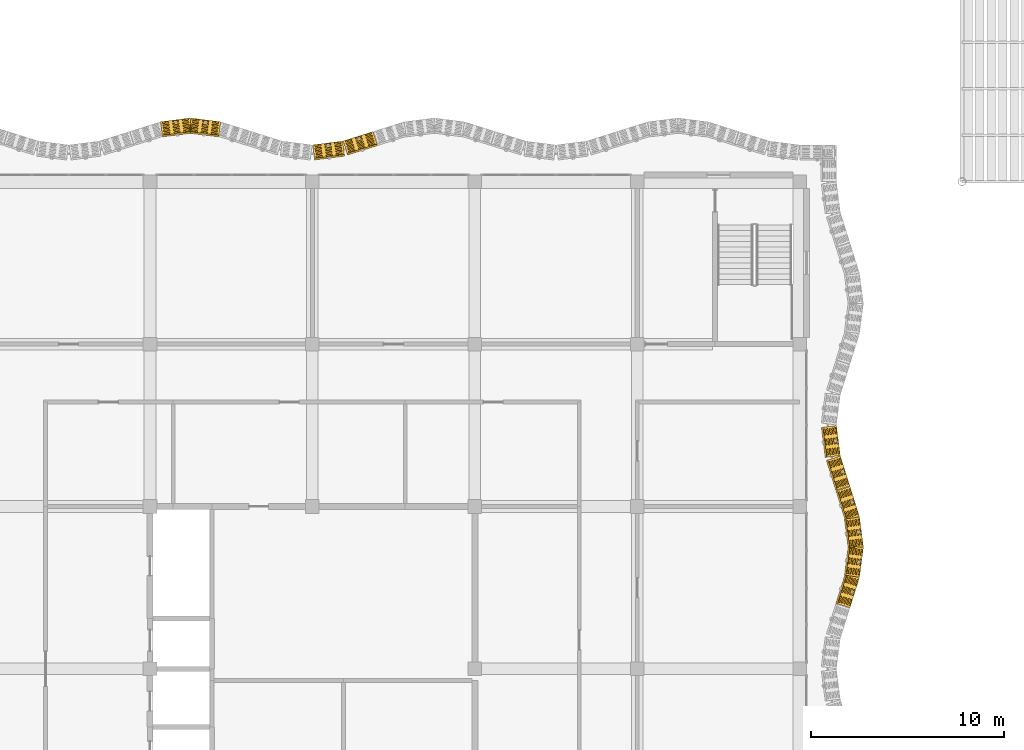
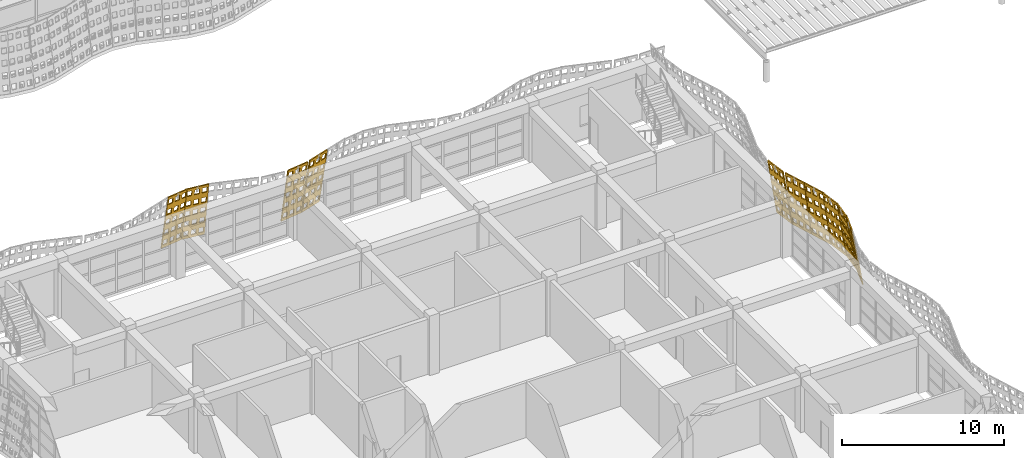
# One storey, part 125 of 162: 10 coverings.
"""IFC4 building model written with IfcOpenShell, lengths in metres."""

import ifcopenshell
import ifcopenshell.guid

model = None  # the IFC model being written
_history = None  # IfcOwnerHistory: only IFC2X3 demands one
_inside = {}  # id of a spatial element -> (the spatial element, [elements in it])
_under = {}  # id of a project, library or spatial element -> (it, [spatial elements below it])
_declared = {}  # id of a project -> (the project, [libraries it declares])
_typed = {}  # id of a type object -> (the type object, [elements of that type])
_made_of = {}  # id of a material, layer set ... -> (it, [elements and type objects made of it])


def new_model(schema):
    """Start an empty IFC model of exactly this schema.

    Asked for "IFC4X3", IfcOpenShell would pick the latest addendum, in which some entities
    have other attributes; the version numbers below select the first issue.
    IFC2X3 requires an IfcOwnerHistory on every rooted entity: one is made here for all.
    """
    global model, _history
    if schema == "IFC4X3":
        model = ifcopenshell.file(schema_version=(4, 3, 0, 0))
    else:
        model = ifcopenshell.file(schema=schema)
    _inside.clear()
    _under.clear()
    _declared.clear()
    _typed.clear()
    _made_of.clear()
    _history = None
    if model.schema == "IFC2X3":
        org = make("IfcOrganization", Name="unknown")
        user = make(
            "IfcPersonAndOrganization",
            ThePerson=make("IfcPerson", FamilyName="unknown"),
            TheOrganization=org,
        )
        app = make(
            "IfcApplication",
            ApplicationDeveloper=org,
            Version="unknown",
            ApplicationFullName="unknown",
            ApplicationIdentifier="unknown",
        )
        _history = make(
            "IfcOwnerHistory",
            OwningUser=user,
            OwningApplication=app,
            ChangeAction="ADDED",
            CreationDate=0,
        )
    return model


def make(cls, **values):
    """One entity of the class cls with the attributes given. An attribute that is None is left unset."""
    return model.create_entity(
        cls, **{name: value for name, value in values.items() if value is not None}
    )


def rooted(cls, **values):
    """An entity with a GlobalId (a new one), such as an element, a storey or a relation."""
    return make(cls, GlobalId=ifcopenshell.guid.new(), OwnerHistory=_history, **values)


def si_unit(unit_type, name, prefix=None):
    """IfcSIUnit, for example si_unit("LENGTHUNIT", "METRE", prefix="MILLI")."""
    return make("IfcSIUnit", UnitType=unit_type, Prefix=prefix, Name=name)


def assignment(units):
    """IfcUnitAssignment: the units of a project."""
    return None if units is None else make("IfcUnitAssignment", Units=units)


def point(xyz):
    """IfcCartesianPoint."""
    return None if xyz is None else make("IfcCartesianPoint", Coordinates=xyz)


def direction(xyz):
    """IfcDirection."""
    return None if xyz is None else make("IfcDirection", DirectionRatios=xyz)


def frame(location, z_axis=None, x_axis=None):
    """IfcAxis2Placement3D, a coordinate frame: its origin and axes. An axis left out is left unset."""
    return make(
        "IfcAxis2Placement3D",
        Location=point(location),
        Axis=direction(z_axis),
        RefDirection=direction(x_axis),
    )


def origin():
    """The frame at (0, 0, 0) with its axes left unset."""
    return frame((0.0, 0.0, 0.0))


def place(relative_to, where):
    """IfcLocalPlacement: puts the frame where relative to a parent placement (None: the world)."""
    return make(
        "IfcLocalPlacement", PlacementRelTo=relative_to, RelativePlacement=where
    )


def context(
    kind, dimensions, precision=None, world=None, true_north=None, identifier=None
):
    """IfcGeometricRepresentationContext, for example the 3D "Model" context."""
    return make(
        "IfcGeometricRepresentationContext",
        ContextIdentifier=identifier,
        ContextType=kind,
        CoordinateSpaceDimension=dimensions,
        Precision=precision,
        WorldCoordinateSystem=world,
        TrueNorth=true_north,
    )


def subcontext(parent, identifier, kind, view, scale=None):
    """IfcGeometricRepresentationSubContext, for example "Body" below "Model"."""
    return make(
        "IfcGeometricRepresentationSubContext",
        ContextIdentifier=identifier,
        ContextType=kind,
        ParentContext=parent,
        TargetScale=scale,
        TargetView=view,
    )


def project(units=None, contexts=None):
    """IfcProject with its units and contexts."""
    return rooted(
        "IfcProject",
        Name="project",
        RepresentationContexts=contexts,
        UnitsInContext=assignment(units),
    )


def spatial(cls, under=None, at=None, **own):
    """A site, building, storey or space (cls), placed at a placement, below another one or the project."""
    s = rooted(cls, ObjectPlacement=at, **own)
    if under is not None:
        _under.setdefault(under.id(), (under, []))[1].append(s)
    return s


def polyline(points):
    """IfcPolyline through the points."""
    return make("IfcPolyline", Points=[point(p) for p in points])


def outline(outer, holes=None, kind="AREA"):
    """IfcArbitraryClosedProfileDef: a profile drawn as a closed curve; with holes, ...WithVoids."""
    if holes is None:
        return make("IfcArbitraryClosedProfileDef", ProfileType=kind, OuterCurve=outer)
    return make(
        "IfcArbitraryProfileDefWithVoids",
        ProfileType=kind,
        OuterCurve=outer,
        InnerCurves=holes,
    )


def extrude(swept, where, along, depth):
    """IfcExtrudedAreaSolid: the profile swept, set in the frame where, extruded along a direction by depth."""
    return make(
        "IfcExtrudedAreaSolid",
        SweptArea=swept,
        Position=where,
        ExtrudedDirection=direction(along),
        Depth=depth,
    )


def shape(context_of_items, identifier, shape_type, items):
    """IfcShapeRepresentation: the items that make up one representation, for example the "Body"."""
    return make(
        "IfcShapeRepresentation",
        ContextOfItems=context_of_items,
        RepresentationIdentifier=identifier,
        RepresentationType=shape_type,
        Items=items,
    )


def material(Name=None, Category=None):
    """IfcMaterial."""
    return make("IfcMaterial", Name=Name, Category=Category)


def layer(
    of_material, thickness, ventilated=None, Name=None, Category=None, Priority=None
):
    """IfcMaterialLayer: one layer of a wall or slab, of a material (None: an air gap)."""
    return make(
        "IfcMaterialLayer",
        Material=of_material,
        LayerThickness=thickness,
        IsVentilated=ventilated,
        Name=Name,
        Category=Category,
        Priority=Priority,
    )


def layer_set(layers, Name=None):
    """IfcMaterialLayerSet."""
    return make("IfcMaterialLayerSet", MaterialLayers=layers, LayerSetName=Name)


def made_of(thing, what):
    """Note that an element or type object is made of a material, layer set ...; save() writes the relation."""
    if what is not None:
        _made_of.setdefault(what.id(), (what, []))[1].append(thing)
    return thing


def type_object(cls, material=None, **own):
    """A type object (cls), such as IfcWallType, which elements share."""
    return made_of(rooted(cls, **own), material)


def element(
    cls,
    number,
    at=None,
    inside=None,
    cuts=None,
    type_object=None,
    material=None,
    context=None,
    identifier="Body",
    shape_type=None,
    held_by="IfcProductDefinitionShape",
    body=None,
    shapes=None,
    **own,
):
    """One element of the class cls, such as IfcWall. Its Tag is "e" and its number.

    at: its placement. inside: the storey or other place that contains it. cuts: it is an
    opening in that element (IfcRelVoidsElement). A single representation is given by context,
    identifier, shape_type and body (its items); several are given by shapes. held_by: the class
    of the entity that holds the representations. save() writes the other relations.
    """
    e = rooted(cls, Tag="e%d" % number, ObjectPlacement=at, **own)
    if body is not None:
        shapes = [shape(context, identifier, shape_type, body)]
    if shapes is not None:
        e.Representation = make(held_by, Representations=shapes)
    if inside is not None:
        _inside.setdefault(inside.id(), (inside, []))[1].append(e)
    if cuts is not None:
        rooted(
            "IfcRelVoidsElement", RelatingBuildingElement=cuts, RelatedOpeningElement=e
        )
    if type_object is not None:
        _typed.setdefault(type_object.id(), (type_object, []))[1].append(e)
    return made_of(e, material)


def aggregate(whole, parts):
    """IfcRelAggregates: a whole, such as a stair, and the parts it consists of."""
    return rooted("IfcRelAggregates", RelatingObject=whole, RelatedObjects=parts)


def save(model, path):
    """Write the relations noted so far, then the file.

    IfcRelAggregates (storeys below a building ...), IfcRelContainedInSpatialStructure (elements
    in a storey), IfcRelDefinesByType, IfcRelAssociatesMaterial and IfcRelDeclares: one each for
    every whole, place, type object, material and project.
    """
    for whole, parts in _under.values():
        aggregate(whole, parts)
    for where, things in _inside.values():
        rooted(
            "IfcRelContainedInSpatialStructure",
            RelatedElements=things,
            RelatingStructure=where,
        )
    for kind, things in _typed.values():
        rooted("IfcRelDefinesByType", RelatedObjects=things, RelatingType=kind)
    for what, things in _made_of.values():
        rooted("IfcRelAssociatesMaterial", RelatedObjects=things, RelatingMaterial=what)
    for by, libraries in _declared.values():
        rooted("IfcRelDeclares", RelatingContext=by, RelatedDefinitions=libraries)
    model.write(path)


model = new_model("IFC4")

# Units and contexts
model_context = context("Model", 3, precision=1e-05, world=origin(), true_north=direction((0.0, 1.0)))
body_context = subcontext(model_context, "Body", "Model", "MODEL_VIEW")
ifc_project = project(units=[si_unit("LENGTHUNIT", "METRE"), si_unit("AREAUNIT", "SQUARE_METRE"), si_unit("VOLUMEUNIT", "CUBIC_METRE"), si_unit("PLANEANGLEUNIT", "RADIAN"), si_unit("MASSUNIT", "GRAM", prefix="KILO")], contexts=[model_context])

# Site, building, storey
site_placement = place(None, origin())
site = spatial("IfcSite", under=ifc_project, at=site_placement, CompositionType="ELEMENT")
building_placement = place(site_placement, origin())
building = spatial("IfcBuilding", under=site, at=building_placement, Name="Rain Tree Exposition and Congress Centre", CompositionType="ELEMENT")
storey_placement = place(building_placement, frame((0.0, 0.0, 6.0)))
storey = spatial("IfcBuildingStorey", under=building, at=storey_placement, Name="L01", CompositionType="ELEMENT", Elevation=6.0)

# Coverings
ifc_material = material(Name="Perforated terracotta", Category="masonry")
ifc_layer = layer(ifc_material, 0.080078125)
ifc_layer_set = layer_set([ifc_layer], Name="Perforated terracotta")
covering_type = type_object("IfcCoveringType", Name="Terracotta screen 80", PredefinedType="CLADDING", material=ifc_layer_set)
covering_1_placement = place(storey_placement, frame((52.998291015625, 28.3505859375, 0.0126953125), z_axis=(-0.941684688936, 0.296569528658, -0.158985726703), x_axis=(-0.300390227601, -0.953816392794, 0.0)))
element("IfcCovering", 1, at=covering_1_placement, inside=storey, type_object=covering_type, Name="wing/screen/L01/053", PredefinedType="CLADDING", context=body_context, shape_type="SweptSolid", body=[
    extrude(outline(polyline([(-1.62890625, 0.0), (-1.62890625, 4.291259765625), (-0.014892578125, 4.291259765625), (-0.014892578125, 0.0), (-1.62890625, 0.0)]), holes=[polyline([(-0.1171875, 0.221435546875), (-0.1171875, 0.63671875), (-0.45068359375, 0.63671875), (-0.45068359375, 0.221435546875), (-0.1171875, 0.221435546875)]), polyline([(-0.1171875, 1.07958984375), (-0.1171875, 1.4951171875), (-0.45068359375, 1.4951171875), (-0.45068359375, 1.07958984375), (-0.1171875, 1.07958984375)]), polyline([(-0.1171875, 1.93798828125), (-0.1171875, 2.353271484375), (-0.45068359375, 2.353271484375), (-0.45068359375, 1.93798828125), (-0.1171875, 1.93798828125)]), polyline([(-0.1171875, 2.796142578125), (-0.1171875, 3.21142578125), (-0.45068359375, 3.21142578125), (-0.45068359375, 2.796142578125), (-0.1171875, 2.796142578125)]), polyline([(-0.1171875, 3.654541015625), (-0.1171875, 4.06982421875), (-0.45068359375, 4.06982421875), (-0.45068359375, 3.654541015625), (-0.1171875, 3.654541015625)]), polyline([(-0.6552734375, 0.221435546875), (-0.6552734375, 0.63671875), (-0.98876953125, 0.63671875), (-0.98876953125, 0.221435546875), (-0.6552734375, 0.221435546875)]), polyline([(-0.6552734375, 1.07958984375), (-0.6552734375, 1.4951171875), (-0.98876953125, 1.4951171875), (-0.98876953125, 1.07958984375), (-0.6552734375, 1.07958984375)]), polyline([(-0.6552734375, 1.93798828125), (-0.6552734375, 2.353271484375), (-0.98876953125, 2.353271484375), (-0.98876953125, 1.93798828125), (-0.6552734375, 1.93798828125)]), polyline([(-0.6552734375, 2.796142578125), (-0.6552734375, 3.21142578125), (-0.98876953125, 3.21142578125), (-0.98876953125, 2.796142578125), (-0.6552734375, 2.796142578125)]), polyline([(-0.6552734375, 3.654541015625), (-0.6552734375, 4.06982421875), (-0.98876953125, 4.06982421875), (-0.98876953125, 3.654541015625), (-0.6552734375, 3.654541015625)]), polyline([(-1.193115234375, 0.221435546875), (-1.193115234375, 0.63671875), (-1.526611328125, 0.63671875), (-1.526611328125, 0.221435546875), (-1.193115234375, 0.221435546875)]), polyline([(-1.193115234375, 1.07958984375), (-1.193115234375, 1.4951171875), (-1.526611328125, 1.4951171875), (-1.526611328125, 1.07958984375), (-1.193115234375, 1.07958984375)]), polyline([(-1.193115234375, 1.93798828125), (-1.193115234375, 2.353271484375), (-1.526611328125, 2.353271484375), (-1.526611328125, 1.93798828125), (-1.193115234375, 1.93798828125)]), polyline([(-1.193115234375, 2.796142578125), (-1.193115234375, 3.21142578125), (-1.526611328125, 3.21142578125), (-1.526611328125, 2.796142578125), (-1.193115234375, 2.796142578125)]), polyline([(-1.193115234375, 3.654541015625), (-1.193115234375, 4.06982421875), (-1.526611328125, 4.06982421875), (-1.526611328125, 3.654541015625), (-1.193115234375, 3.654541015625)])]), origin(), (0.0, 0.0, 1.0), 0.079833984375),
])
covering_2_placement = place(storey_placement, frame((53.4931640625, 29.92529296875, 0.01318359375), z_axis=(-0.978036007662, 0.127967328105, -0.16452942185), x_axis=(-0.129735338481, -0.991548658387, 0.0)))
element("IfcCovering", 2, at=covering_2_placement, inside=storey, type_object=covering_type, Name="wing/screen/L01/054", PredefinedType="CLADDING", context=body_context, shape_type="SweptSolid", body=[
    extrude(outline(polyline([(-1.56298828125, 0.0), (-1.56298828125, 4.295166015625), (-0.02197265625, 4.295166015625), (-0.02197265625, 0.0), (-1.56298828125, 0.0)]), holes=[polyline([(-0.11962890625, 0.2216796875), (-0.11962890625, 0.63720703125), (-0.43798828125, 0.63720703125), (-0.43798828125, 0.2216796875), (-0.11962890625, 0.2216796875)]), polyline([(-0.11962890625, 1.080810546875), (-0.11962890625, 1.496337890625), (-0.43798828125, 1.496337890625), (-0.43798828125, 1.080810546875), (-0.11962890625, 1.080810546875)]), polyline([(-0.11962890625, 1.939697265625), (-0.11962890625, 2.35546875), (-0.43798828125, 2.35546875), (-0.43798828125, 1.939697265625), (-0.11962890625, 1.939697265625)]), polyline([(-0.11962890625, 2.798583984375), (-0.11962890625, 3.21435546875), (-0.43798828125, 3.21435546875), (-0.43798828125, 2.798583984375), (-0.11962890625, 2.798583984375)]), polyline([(-0.11962890625, 3.65771484375), (-0.11962890625, 4.073486328125), (-0.43798828125, 4.073486328125), (-0.43798828125, 3.65771484375), (-0.11962890625, 3.65771484375)]), polyline([(-0.63330078125, 0.2216796875), (-0.63330078125, 0.63720703125), (-0.95166015625, 0.63720703125), (-0.95166015625, 0.2216796875), (-0.63330078125, 0.2216796875)]), polyline([(-0.63330078125, 1.080810546875), (-0.63330078125, 1.496337890625), (-0.95166015625, 1.496337890625), (-0.95166015625, 1.080810546875), (-0.63330078125, 1.080810546875)]), polyline([(-0.63330078125, 1.939697265625), (-0.63330078125, 2.35546875), (-0.95166015625, 2.35546875), (-0.95166015625, 1.939697265625), (-0.63330078125, 1.939697265625)]), polyline([(-0.63330078125, 2.798583984375), (-0.63330078125, 3.21435546875), (-0.95166015625, 3.21435546875), (-0.95166015625, 2.798583984375), (-0.63330078125, 2.798583984375)]), polyline([(-0.63330078125, 3.65771484375), (-0.63330078125, 4.073486328125), (-0.95166015625, 4.073486328125), (-0.95166015625, 3.65771484375), (-0.63330078125, 3.65771484375)]), polyline([(-1.146728515625, 0.2216796875), (-1.146728515625, 0.63720703125), (-1.46533203125, 0.63720703125), (-1.46533203125, 0.2216796875), (-1.146728515625, 0.2216796875)]), polyline([(-1.146728515625, 1.080810546875), (-1.146728515625, 1.496337890625), (-1.46533203125, 1.496337890625), (-1.46533203125, 1.080810546875), (-1.146728515625, 1.080810546875)]), polyline([(-1.146728515625, 1.939697265625), (-1.146728515625, 2.35546875), (-1.46533203125, 2.35546875), (-1.46533203125, 1.939697265625), (-1.146728515625, 1.939697265625)]), polyline([(-1.146728515625, 2.798583984375), (-1.146728515625, 3.21435546875), (-1.46533203125, 3.21435546875), (-1.46533203125, 2.798583984375), (-1.146728515625, 2.798583984375)]), polyline([(-1.146728515625, 3.65771484375), (-1.146728515625, 4.073486328125), (-1.46533203125, 4.073486328125), (-1.46533203125, 3.65771484375), (-1.146728515625, 3.65771484375)])]), origin(), (0.0, 0.0, 1.0), 0.080078125),
])
covering_3_placement = place(storey_placement, frame((53.697998046875, 31.499755859375, 0.01318359375), z_axis=(-0.9779030419, -0.128349774249, -0.165021138321), x_axis=(0.130133906157, -0.991496427865, 0.0)))
element("IfcCovering", 3, at=covering_3_placement, inside=storey, type_object=covering_type, Name="wing/screen/L01/055", PredefinedType="CLADDING", context=body_context, shape_type="SweptSolid", body=[
    extrude(outline(polyline([(-1.56640625, 0.0), (-1.56640625, 4.295166015625), (-0.025390625, 4.295166015625), (-0.025390625, 0.0), (-1.56640625, 0.0)]), holes=[polyline([(-0.123046875, 0.2216796875), (-0.123046875, 0.63720703125), (-0.44140625, 0.63720703125), (-0.44140625, 0.2216796875), (-0.123046875, 0.2216796875)]), polyline([(-0.123046875, 1.080810546875), (-0.123046875, 1.496337890625), (-0.44140625, 1.496337890625), (-0.44140625, 1.080810546875), (-0.123046875, 1.080810546875)]), polyline([(-0.123046875, 1.939697265625), (-0.123046875, 2.35546875), (-0.44140625, 2.35546875), (-0.44140625, 1.939697265625), (-0.123046875, 1.939697265625)]), polyline([(-0.123046875, 2.798583984375), (-0.123046875, 3.21435546875), (-0.44140625, 3.21435546875), (-0.44140625, 2.798583984375), (-0.123046875, 2.798583984375)]), polyline([(-0.123046875, 3.65771484375), (-0.123046875, 4.073486328125), (-0.44140625, 4.073486328125), (-0.44140625, 3.65771484375), (-0.123046875, 3.65771484375)]), polyline([(-0.63671875, 0.2216796875), (-0.63671875, 0.63720703125), (-0.955078125, 0.63720703125), (-0.955078125, 0.2216796875), (-0.63671875, 0.2216796875)]), polyline([(-0.63671875, 1.080810546875), (-0.63671875, 1.496337890625), (-0.955078125, 1.496337890625), (-0.955078125, 1.080810546875), (-0.63671875, 1.080810546875)]), polyline([(-0.63671875, 1.939697265625), (-0.63671875, 2.35546875), (-0.955078125, 2.35546875), (-0.955078125, 1.939697265625), (-0.63671875, 1.939697265625)]), polyline([(-0.63671875, 2.798583984375), (-0.63671875, 3.21435546875), (-0.955078125, 3.21435546875), (-0.955078125, 2.798583984375), (-0.63671875, 2.798583984375)]), polyline([(-0.63671875, 3.65771484375), (-0.63671875, 4.073486328125), (-0.955078125, 4.073486328125), (-0.955078125, 3.65771484375), (-0.63671875, 3.65771484375)]), polyline([(-1.150146484375, 0.2216796875), (-1.150146484375, 0.63720703125), (-1.46875, 0.63720703125), (-1.46875, 0.2216796875), (-1.150146484375, 0.2216796875)]), polyline([(-1.150146484375, 1.080810546875), (-1.150146484375, 1.496337890625), (-1.46875, 1.496337890625), (-1.46875, 1.080810546875), (-1.150146484375, 1.080810546875)]), polyline([(-1.150146484375, 1.939697265625), (-1.150146484375, 2.35546875), (-1.46875, 2.35546875), (-1.46875, 1.939697265625), (-1.150146484375, 1.939697265625)]), polyline([(-1.150146484375, 2.798583984375), (-1.150146484375, 3.21435546875), (-1.46875, 3.21435546875), (-1.46875, 2.798583984375), (-1.150146484375, 2.798583984375)]), polyline([(-1.150146484375, 3.65771484375), (-1.150146484375, 4.073486328125), (-1.46875, 4.073486328125), (-1.46875, 3.65771484375), (-1.150146484375, 3.65771484375)])]), origin(), (0.0, 0.0, 1.0), 0.079833984375),
])
covering_4_placement = place(storey_placement, frame((53.493408203125, 33.074462890625, 0.0126953125), z_axis=(-0.942029390639, -0.295717964052, -0.158529217842), x_axis=(0.29950542383, -0.954094597562, 0.0)))
element("IfcCovering", 4, at=covering_4_placement, inside=storey, type_object=covering_type, Name="wing/screen/L01/056", PredefinedType="CLADDING", context=body_context, shape_type="SweptSolid", body=[
    extrude(outline(polyline([(-1.635986328125, 0.0), (-1.635986328125, 4.291259765625), (-0.02197265625, 4.291259765625), (-0.02197265625, 0.0), (-1.635986328125, 0.0)]), holes=[polyline([(-0.124267578125, 0.221435546875), (-0.124267578125, 0.63671875), (-0.457763671875, 0.63671875), (-0.457763671875, 0.221435546875), (-0.124267578125, 0.221435546875)]), polyline([(-0.124267578125, 1.07958984375), (-0.124267578125, 1.4951171875), (-0.457763671875, 1.4951171875), (-0.457763671875, 1.07958984375), (-0.124267578125, 1.07958984375)]), polyline([(-0.124267578125, 1.93798828125), (-0.124267578125, 2.353271484375), (-0.457763671875, 2.353271484375), (-0.457763671875, 1.93798828125), (-0.124267578125, 1.93798828125)]), polyline([(-0.124267578125, 2.796142578125), (-0.124267578125, 3.21142578125), (-0.457763671875, 3.21142578125), (-0.457763671875, 2.796142578125), (-0.124267578125, 2.796142578125)]), polyline([(-0.124267578125, 3.654541015625), (-0.124267578125, 4.06982421875), (-0.457763671875, 4.06982421875), (-0.457763671875, 3.654541015625), (-0.124267578125, 3.654541015625)]), polyline([(-0.662109375, 0.221435546875), (-0.662109375, 0.63671875), (-0.995849609375, 0.63671875), (-0.995849609375, 0.221435546875), (-0.662109375, 0.221435546875)]), polyline([(-0.662109375, 1.07958984375), (-0.662109375, 1.4951171875), (-0.995849609375, 1.4951171875), (-0.995849609375, 1.07958984375), (-0.662109375, 1.07958984375)]), polyline([(-0.662109375, 1.93798828125), (-0.662109375, 2.353271484375), (-0.995849609375, 2.353271484375), (-0.995849609375, 1.93798828125), (-0.662109375, 1.93798828125)]), polyline([(-0.662109375, 2.796142578125), (-0.662109375, 3.21142578125), (-0.995849609375, 3.21142578125), (-0.995849609375, 2.796142578125), (-0.662109375, 2.796142578125)]), polyline([(-0.662109375, 3.654541015625), (-0.662109375, 4.06982421875), (-0.995849609375, 4.06982421875), (-0.995849609375, 3.654541015625), (-0.662109375, 3.654541015625)]), polyline([(-1.2001953125, 0.221435546875), (-1.2001953125, 0.63671875), (-1.53369140625, 0.63671875), (-1.53369140625, 0.221435546875), (-1.2001953125, 0.221435546875)]), polyline([(-1.2001953125, 1.07958984375), (-1.2001953125, 1.4951171875), (-1.53369140625, 1.4951171875), (-1.53369140625, 1.07958984375), (-1.2001953125, 1.07958984375)]), polyline([(-1.2001953125, 1.93798828125), (-1.2001953125, 2.353271484375), (-1.53369140625, 2.353271484375), (-1.53369140625, 1.93798828125), (-1.2001953125, 1.93798828125)]), polyline([(-1.2001953125, 2.796142578125), (-1.2001953125, 3.21142578125), (-1.53369140625, 3.21142578125), (-1.53369140625, 2.796142578125), (-1.2001953125, 2.796142578125)]), polyline([(-1.2001953125, 3.654541015625), (-1.2001953125, 4.06982421875), (-1.53369140625, 4.06982421875), (-1.53369140625, 3.654541015625), (-1.2001953125, 3.654541015625)])]), origin(), (0.0, 0.0, 1.0), 0.080078125),
])
covering_5_placement = place(storey_placement, frame((52.998291015625, 34.6494140625, 0.0126953125), z_axis=(-0.941684688936, -0.296569528658, -0.158985726703), x_axis=(0.300390227601, -0.953816392794, 0.0)))
element("IfcCovering", 5, at=covering_5_placement, inside=storey, type_object=covering_type, Name="wing/screen/L01/057", PredefinedType="CLADDING", context=body_context, shape_type="SweptSolid", body=[
    extrude(outline(polyline([(-1.635986328125, 0.0), (-1.635986328125, 4.291259765625), (-0.014892578125, 4.291259765625), (-0.014892578125, 0.0), (-1.635986328125, 0.0)]), holes=[polyline([(-0.11767578125, 0.221435546875), (-0.11767578125, 0.63671875), (-0.45263671875, 0.63671875), (-0.45263671875, 0.221435546875), (-0.11767578125, 0.221435546875)]), polyline([(-0.11767578125, 1.07958984375), (-0.11767578125, 1.4951171875), (-0.45263671875, 1.4951171875), (-0.45263671875, 1.07958984375), (-0.11767578125, 1.07958984375)]), polyline([(-0.11767578125, 1.93798828125), (-0.11767578125, 2.353271484375), (-0.45263671875, 2.353271484375), (-0.45263671875, 1.93798828125), (-0.11767578125, 1.93798828125)]), polyline([(-0.11767578125, 2.796142578125), (-0.11767578125, 3.21142578125), (-0.45263671875, 3.21142578125), (-0.45263671875, 2.796142578125), (-0.11767578125, 2.796142578125)]), polyline([(-0.11767578125, 3.654541015625), (-0.11767578125, 4.06982421875), (-0.45263671875, 4.06982421875), (-0.45263671875, 3.654541015625), (-0.11767578125, 3.654541015625)]), polyline([(-0.657958984375, 0.221435546875), (-0.657958984375, 0.63671875), (-0.992919921875, 0.63671875), (-0.992919921875, 0.221435546875), (-0.657958984375, 0.221435546875)]), polyline([(-0.657958984375, 1.07958984375), (-0.657958984375, 1.4951171875), (-0.992919921875, 1.4951171875), (-0.992919921875, 1.07958984375), (-0.657958984375, 1.07958984375)]), polyline([(-0.657958984375, 1.93798828125), (-0.657958984375, 2.353271484375), (-0.992919921875, 2.353271484375), (-0.992919921875, 1.93798828125), (-0.657958984375, 1.93798828125)]), polyline([(-0.657958984375, 2.796142578125), (-0.657958984375, 3.21142578125), (-0.992919921875, 3.21142578125), (-0.992919921875, 2.796142578125), (-0.657958984375, 2.796142578125)]), polyline([(-0.657958984375, 3.654541015625), (-0.657958984375, 4.06982421875), (-0.992919921875, 4.06982421875), (-0.992919921875, 3.654541015625), (-0.657958984375, 3.654541015625)]), polyline([(-1.1982421875, 0.221435546875), (-1.1982421875, 0.63671875), (-1.533203125, 0.63671875), (-1.533203125, 0.221435546875), (-1.1982421875, 0.221435546875)]), polyline([(-1.1982421875, 1.07958984375), (-1.1982421875, 1.4951171875), (-1.533203125, 1.4951171875), (-1.533203125, 1.07958984375), (-1.1982421875, 1.07958984375)]), polyline([(-1.1982421875, 1.93798828125), (-1.1982421875, 2.353271484375), (-1.533203125, 2.353271484375), (-1.533203125, 1.93798828125), (-1.1982421875, 1.93798828125)]), polyline([(-1.1982421875, 2.796142578125), (-1.1982421875, 3.21142578125), (-1.533203125, 3.21142578125), (-1.533203125, 2.796142578125), (-1.1982421875, 2.796142578125)]), polyline([(-1.1982421875, 3.654541015625), (-1.1982421875, 4.06982421875), (-1.533203125, 4.06982421875), (-1.533203125, 3.654541015625), (-1.1982421875, 3.654541015625)])]), origin(), (0.0, 0.0, 1.0), 0.079833984375),
])
covering_6_placement = place(storey_placement, frame((52.503173828125, 36.224609375, 0.01318359375), z_axis=(-0.978413018317, -0.124968640969, -0.164592844203), x_axis=(0.126696580272, -0.991941518713, 0.0)))
element("IfcCovering", 6, at=covering_6_placement, inside=storey, type_object=covering_type, Name="wing/screen/L01/058", PredefinedType="CLADDING", context=body_context, shape_type="SweptSolid", body=[
    extrude(outline(polyline([(-1.5732421875, 0.0), (-1.5732421875, 4.295166015625), (-0.014892578125, 4.295166015625), (-0.014892578125, 0.0), (-1.5732421875, 0.0)]), holes=[polyline([(-0.11376953125, 0.2216796875), (-0.11376953125, 0.63720703125), (-0.435791015625, 0.63720703125), (-0.435791015625, 0.2216796875), (-0.11376953125, 0.2216796875)]), polyline([(-0.11376953125, 1.080810546875), (-0.11376953125, 1.496337890625), (-0.435791015625, 1.496337890625), (-0.435791015625, 1.080810546875), (-0.11376953125, 1.080810546875)]), polyline([(-0.11376953125, 1.939697265625), (-0.11376953125, 2.35546875), (-0.435791015625, 2.35546875), (-0.435791015625, 1.939697265625), (-0.11376953125, 1.939697265625)]), polyline([(-0.11376953125, 2.798583984375), (-0.11376953125, 3.21435546875), (-0.435791015625, 3.21435546875), (-0.435791015625, 2.798583984375), (-0.11376953125, 2.798583984375)]), polyline([(-0.11376953125, 3.65771484375), (-0.11376953125, 4.073486328125), (-0.435791015625, 4.073486328125), (-0.435791015625, 3.65771484375), (-0.11376953125, 3.65771484375)]), polyline([(-0.633056640625, 0.2216796875), (-0.633056640625, 0.63720703125), (-0.955078125, 0.63720703125), (-0.955078125, 0.2216796875), (-0.633056640625, 0.2216796875)]), polyline([(-0.633056640625, 1.080810546875), (-0.633056640625, 1.496337890625), (-0.955078125, 1.496337890625), (-0.955078125, 1.080810546875), (-0.633056640625, 1.080810546875)]), polyline([(-0.633056640625, 1.939697265625), (-0.633056640625, 2.35546875), (-0.955078125, 2.35546875), (-0.955078125, 1.939697265625), (-0.633056640625, 1.939697265625)]), polyline([(-0.633056640625, 2.798583984375), (-0.633056640625, 3.21435546875), (-0.955078125, 3.21435546875), (-0.955078125, 2.798583984375), (-0.633056640625, 2.798583984375)]), polyline([(-0.633056640625, 3.65771484375), (-0.633056640625, 4.073486328125), (-0.955078125, 4.073486328125), (-0.955078125, 3.65771484375), (-0.633056640625, 3.65771484375)]), polyline([(-1.152587890625, 0.2216796875), (-1.152587890625, 0.63720703125), (-1.474609375, 0.63720703125), (-1.474609375, 0.2216796875), (-1.152587890625, 0.2216796875)]), polyline([(-1.152587890625, 1.080810546875), (-1.152587890625, 1.496337890625), (-1.474609375, 1.496337890625), (-1.474609375, 1.080810546875), (-1.152587890625, 1.080810546875)]), polyline([(-1.152587890625, 1.939697265625), (-1.152587890625, 2.35546875), (-1.474609375, 2.35546875), (-1.474609375, 1.939697265625), (-1.152587890625, 1.939697265625)]), polyline([(-1.152587890625, 2.798583984375), (-1.152587890625, 3.21435546875), (-1.474609375, 3.21435546875), (-1.474609375, 2.798583984375), (-1.152587890625, 2.798583984375)]), polyline([(-1.152587890625, 3.65771484375), (-1.152587890625, 4.073486328125), (-1.474609375, 4.073486328125), (-1.474609375, 3.65771484375), (-1.152587890625, 3.65771484375)])]), origin(), (0.0, 0.0, 1.0), 0.080078125),
])
covering_7_placement = place(storey_placement, frame((28.3505859375, 52.998291015625, 0.0126953125), z_axis=(0.296569528658, -0.941684688936, -0.158985726703), x_axis=(0.953816392794, 0.300390227601, 0.0)))
element("IfcCovering", 7, at=covering_7_placement, inside=storey, type_object=covering_type, Name="wing/screen/L01/083", PredefinedType="CLADDING", context=body_context, shape_type="SweptSolid", body=[
    extrude(outline(polyline([(-1.635986328125, 0.0), (-1.635986328125, 4.291259765625), (-0.014892578125, 4.291259765625), (-0.014892578125, 0.0), (-1.635986328125, 0.0)]), holes=[polyline([(-0.11767578125, 0.221435546875), (-0.11767578125, 0.63671875), (-0.45263671875, 0.63671875), (-0.45263671875, 0.221435546875), (-0.11767578125, 0.221435546875)]), polyline([(-0.11767578125, 1.07958984375), (-0.11767578125, 1.4951171875), (-0.45263671875, 1.4951171875), (-0.45263671875, 1.07958984375), (-0.11767578125, 1.07958984375)]), polyline([(-0.11767578125, 1.93798828125), (-0.11767578125, 2.353271484375), (-0.45263671875, 2.353271484375), (-0.45263671875, 1.93798828125), (-0.11767578125, 1.93798828125)]), polyline([(-0.11767578125, 2.796142578125), (-0.11767578125, 3.21142578125), (-0.45263671875, 3.21142578125), (-0.45263671875, 2.796142578125), (-0.11767578125, 2.796142578125)]), polyline([(-0.11767578125, 3.654541015625), (-0.11767578125, 4.06982421875), (-0.45263671875, 4.06982421875), (-0.45263671875, 3.654541015625), (-0.11767578125, 3.654541015625)]), polyline([(-0.657958984375, 0.221435546875), (-0.657958984375, 0.63671875), (-0.992919921875, 0.63671875), (-0.992919921875, 0.221435546875), (-0.657958984375, 0.221435546875)]), polyline([(-0.657958984375, 1.07958984375), (-0.657958984375, 1.4951171875), (-0.992919921875, 1.4951171875), (-0.992919921875, 1.07958984375), (-0.657958984375, 1.07958984375)]), polyline([(-0.657958984375, 1.93798828125), (-0.657958984375, 2.353271484375), (-0.992919921875, 2.353271484375), (-0.992919921875, 1.93798828125), (-0.657958984375, 1.93798828125)]), polyline([(-0.657958984375, 2.796142578125), (-0.657958984375, 3.21142578125), (-0.992919921875, 3.21142578125), (-0.992919921875, 2.796142578125), (-0.657958984375, 2.796142578125)]), polyline([(-0.657958984375, 3.654541015625), (-0.657958984375, 4.06982421875), (-0.992919921875, 4.06982421875), (-0.992919921875, 3.654541015625), (-0.657958984375, 3.654541015625)]), polyline([(-1.1982421875, 0.221435546875), (-1.1982421875, 0.63671875), (-1.533203125, 0.63671875), (-1.533203125, 0.221435546875), (-1.1982421875, 0.221435546875)]), polyline([(-1.1982421875, 1.07958984375), (-1.1982421875, 1.4951171875), (-1.533203125, 1.4951171875), (-1.533203125, 1.07958984375), (-1.1982421875, 1.07958984375)]), polyline([(-1.1982421875, 1.93798828125), (-1.1982421875, 2.353271484375), (-1.533203125, 2.353271484375), (-1.533203125, 1.93798828125), (-1.1982421875, 1.93798828125)]), polyline([(-1.1982421875, 2.796142578125), (-1.1982421875, 3.21142578125), (-1.533203125, 3.21142578125), (-1.533203125, 2.796142578125), (-1.1982421875, 2.796142578125)]), polyline([(-1.1982421875, 3.654541015625), (-1.1982421875, 4.06982421875), (-1.533203125, 4.06982421875), (-1.533203125, 3.654541015625), (-1.1982421875, 3.654541015625)])]), origin(), (0.0, 0.0, 1.0), 0.079833984375),
])
covering_8_placement = place(storey_placement, frame((26.775390625, 52.503173828125, 0.01318359375), z_axis=(0.124968640969, -0.978413018317, -0.164592844203), x_axis=(0.991941518713, 0.126696580272, 0.0)))
element("IfcCovering", 8, at=covering_8_placement, inside=storey, type_object=covering_type, Name="wing/screen/L01/084", PredefinedType="CLADDING", context=body_context, shape_type="SweptSolid", body=[
    extrude(outline(polyline([(-1.5732421875, 0.0), (-1.5732421875, 4.295166015625), (-0.014892578125, 4.295166015625), (-0.014892578125, 0.0), (-1.5732421875, 0.0)]), holes=[polyline([(-0.11376953125, 0.2216796875), (-0.11376953125, 0.63720703125), (-0.435791015625, 0.63720703125), (-0.435791015625, 0.2216796875), (-0.11376953125, 0.2216796875)]), polyline([(-0.11376953125, 1.080810546875), (-0.11376953125, 1.496337890625), (-0.435791015625, 1.496337890625), (-0.435791015625, 1.080810546875), (-0.11376953125, 1.080810546875)]), polyline([(-0.11376953125, 1.939697265625), (-0.11376953125, 2.35546875), (-0.435791015625, 2.35546875), (-0.435791015625, 1.939697265625), (-0.11376953125, 1.939697265625)]), polyline([(-0.11376953125, 2.798583984375), (-0.11376953125, 3.21435546875), (-0.435791015625, 3.21435546875), (-0.435791015625, 2.798583984375), (-0.11376953125, 2.798583984375)]), polyline([(-0.11376953125, 3.65771484375), (-0.11376953125, 4.073486328125), (-0.435791015625, 4.073486328125), (-0.435791015625, 3.65771484375), (-0.11376953125, 3.65771484375)]), polyline([(-0.633056640625, 0.2216796875), (-0.633056640625, 0.63720703125), (-0.955078125, 0.63720703125), (-0.955078125, 0.2216796875), (-0.633056640625, 0.2216796875)]), polyline([(-0.633056640625, 1.080810546875), (-0.633056640625, 1.496337890625), (-0.955078125, 1.496337890625), (-0.955078125, 1.080810546875), (-0.633056640625, 1.080810546875)]), polyline([(-0.633056640625, 1.939697265625), (-0.633056640625, 2.35546875), (-0.955078125, 2.35546875), (-0.955078125, 1.939697265625), (-0.633056640625, 1.939697265625)]), polyline([(-0.633056640625, 2.798583984375), (-0.633056640625, 3.21435546875), (-0.955078125, 3.21435546875), (-0.955078125, 2.798583984375), (-0.633056640625, 2.798583984375)]), polyline([(-0.633056640625, 3.65771484375), (-0.633056640625, 4.073486328125), (-0.955078125, 4.073486328125), (-0.955078125, 3.65771484375), (-0.633056640625, 3.65771484375)]), polyline([(-1.152587890625, 0.2216796875), (-1.152587890625, 0.63720703125), (-1.474609375, 0.63720703125), (-1.474609375, 0.2216796875), (-1.152587890625, 0.2216796875)]), polyline([(-1.152587890625, 1.080810546875), (-1.152587890625, 1.496337890625), (-1.474609375, 1.496337890625), (-1.474609375, 1.080810546875), (-1.152587890625, 1.080810546875)]), polyline([(-1.152587890625, 1.939697265625), (-1.152587890625, 2.35546875), (-1.474609375, 2.35546875), (-1.474609375, 1.939697265625), (-1.152587890625, 1.939697265625)]), polyline([(-1.152587890625, 2.798583984375), (-1.152587890625, 3.21435546875), (-1.474609375, 3.21435546875), (-1.474609375, 2.798583984375), (-1.152587890625, 2.798583984375)]), polyline([(-1.152587890625, 3.65771484375), (-1.152587890625, 4.073486328125), (-1.474609375, 4.073486328125), (-1.474609375, 3.65771484375), (-1.152587890625, 3.65771484375)])]), origin(), (0.0, 0.0, 1.0), 0.080078125),
])
covering_9_placement = place(storey_placement, frame((20.474609375, 53.4931640625, 0.01318359375), z_axis=(-0.124968640969, -0.978413018317, -0.164592844203), x_axis=(0.991941518713, -0.126696580272, 0.0)))
element("IfcCovering", 9, at=covering_9_placement, inside=storey, type_object=covering_type, Name="wing/screen/L01/088", PredefinedType="CLADDING", context=body_context, shape_type="SweptSolid", body=[
    extrude(outline(polyline([(-1.56298828125, 0.0), (-1.56298828125, 4.295166015625), (-0.02197265625, 4.295166015625), (-0.02197265625, 0.0), (-1.56298828125, 0.0)]), holes=[polyline([(-0.11962890625, 0.2216796875), (-0.11962890625, 0.63720703125), (-0.43798828125, 0.63720703125), (-0.43798828125, 0.2216796875), (-0.11962890625, 0.2216796875)]), polyline([(-0.11962890625, 1.080810546875), (-0.11962890625, 1.496337890625), (-0.43798828125, 1.496337890625), (-0.43798828125, 1.080810546875), (-0.11962890625, 1.080810546875)]), polyline([(-0.11962890625, 1.939697265625), (-0.11962890625, 2.35546875), (-0.43798828125, 2.35546875), (-0.43798828125, 1.939697265625), (-0.11962890625, 1.939697265625)]), polyline([(-0.11962890625, 2.798583984375), (-0.11962890625, 3.21435546875), (-0.43798828125, 3.21435546875), (-0.43798828125, 2.798583984375), (-0.11962890625, 2.798583984375)]), polyline([(-0.11962890625, 3.65771484375), (-0.11962890625, 4.073486328125), (-0.43798828125, 4.073486328125), (-0.43798828125, 3.65771484375), (-0.11962890625, 3.65771484375)]), polyline([(-0.63330078125, 0.2216796875), (-0.63330078125, 0.63720703125), (-0.95166015625, 0.63720703125), (-0.95166015625, 0.2216796875), (-0.63330078125, 0.2216796875)]), polyline([(-0.63330078125, 1.080810546875), (-0.63330078125, 1.496337890625), (-0.95166015625, 1.496337890625), (-0.95166015625, 1.080810546875), (-0.63330078125, 1.080810546875)]), polyline([(-0.63330078125, 1.939697265625), (-0.63330078125, 2.35546875), (-0.95166015625, 2.35546875), (-0.95166015625, 1.939697265625), (-0.63330078125, 1.939697265625)]), polyline([(-0.63330078125, 2.798583984375), (-0.63330078125, 3.21435546875), (-0.95166015625, 3.21435546875), (-0.95166015625, 2.798583984375), (-0.63330078125, 2.798583984375)]), polyline([(-0.63330078125, 3.65771484375), (-0.63330078125, 4.073486328125), (-0.95166015625, 4.073486328125), (-0.95166015625, 3.65771484375), (-0.63330078125, 3.65771484375)]), polyline([(-1.146728515625, 0.2216796875), (-1.146728515625, 0.63720703125), (-1.46533203125, 0.63720703125), (-1.46533203125, 0.2216796875), (-1.146728515625, 0.2216796875)]), polyline([(-1.146728515625, 1.080810546875), (-1.146728515625, 1.496337890625), (-1.46533203125, 1.496337890625), (-1.46533203125, 1.080810546875), (-1.146728515625, 1.080810546875)]), polyline([(-1.146728515625, 1.939697265625), (-1.146728515625, 2.35546875), (-1.46533203125, 2.35546875), (-1.46533203125, 1.939697265625), (-1.146728515625, 1.939697265625)]), polyline([(-1.146728515625, 2.798583984375), (-1.146728515625, 3.21435546875), (-1.46533203125, 3.21435546875), (-1.46533203125, 2.798583984375), (-1.146728515625, 2.798583984375)]), polyline([(-1.146728515625, 3.65771484375), (-1.146728515625, 4.073486328125), (-1.46533203125, 4.073486328125), (-1.46533203125, 3.65771484375), (-1.146728515625, 3.65771484375)])]), origin(), (0.0, 0.0, 1.0), 0.080078125),
])
covering_10_placement = place(storey_placement, frame((18.900390625, 53.697998046875, 0.01318359375), z_axis=(0.125342414455, -0.978282259159, -0.165085131233), x_axis=(0.991891686382, 0.127086122318, 0.0)))
element("IfcCovering", 10, at=covering_10_placement, inside=storey, type_object=covering_type, Name="wing/screen/L01/089", PredefinedType="CLADDING", context=body_context, shape_type="SweptSolid", body=[
    extrude(outline(polyline([(-1.56640625, 0.0), (-1.56640625, 4.295166015625), (-0.025390625, 4.295166015625), (-0.025390625, 0.0), (-1.56640625, 0.0)]), holes=[polyline([(-0.123046875, 0.2216796875), (-0.123046875, 0.63720703125), (-0.44140625, 0.63720703125), (-0.44140625, 0.2216796875), (-0.123046875, 0.2216796875)]), polyline([(-0.123046875, 1.080810546875), (-0.123046875, 1.496337890625), (-0.44140625, 1.496337890625), (-0.44140625, 1.080810546875), (-0.123046875, 1.080810546875)]), polyline([(-0.123046875, 1.939697265625), (-0.123046875, 2.35546875), (-0.44140625, 2.35546875), (-0.44140625, 1.939697265625), (-0.123046875, 1.939697265625)]), polyline([(-0.123046875, 2.798583984375), (-0.123046875, 3.21435546875), (-0.44140625, 3.21435546875), (-0.44140625, 2.798583984375), (-0.123046875, 2.798583984375)]), polyline([(-0.123046875, 3.65771484375), (-0.123046875, 4.073486328125), (-0.44140625, 4.073486328125), (-0.44140625, 3.65771484375), (-0.123046875, 3.65771484375)]), polyline([(-0.63671875, 0.2216796875), (-0.63671875, 0.63720703125), (-0.955078125, 0.63720703125), (-0.955078125, 0.2216796875), (-0.63671875, 0.2216796875)]), polyline([(-0.63671875, 1.080810546875), (-0.63671875, 1.496337890625), (-0.955078125, 1.496337890625), (-0.955078125, 1.080810546875), (-0.63671875, 1.080810546875)]), polyline([(-0.63671875, 1.939697265625), (-0.63671875, 2.35546875), (-0.955078125, 2.35546875), (-0.955078125, 1.939697265625), (-0.63671875, 1.939697265625)]), polyline([(-0.63671875, 2.798583984375), (-0.63671875, 3.21435546875), (-0.955078125, 3.21435546875), (-0.955078125, 2.798583984375), (-0.63671875, 2.798583984375)]), polyline([(-0.63671875, 3.65771484375), (-0.63671875, 4.073486328125), (-0.955078125, 4.073486328125), (-0.955078125, 3.65771484375), (-0.63671875, 3.65771484375)]), polyline([(-1.150146484375, 0.2216796875), (-1.150146484375, 0.63720703125), (-1.46875, 0.63720703125), (-1.46875, 0.2216796875), (-1.150146484375, 0.2216796875)]), polyline([(-1.150146484375, 1.080810546875), (-1.150146484375, 1.496337890625), (-1.46875, 1.496337890625), (-1.46875, 1.080810546875), (-1.150146484375, 1.080810546875)]), polyline([(-1.150146484375, 1.939697265625), (-1.150146484375, 2.35546875), (-1.46875, 2.35546875), (-1.46875, 1.939697265625), (-1.150146484375, 1.939697265625)]), polyline([(-1.150146484375, 2.798583984375), (-1.150146484375, 3.21435546875), (-1.46875, 3.21435546875), (-1.46875, 2.798583984375), (-1.150146484375, 2.798583984375)]), polyline([(-1.150146484375, 3.65771484375), (-1.150146484375, 4.073486328125), (-1.46875, 4.073486328125), (-1.46875, 3.65771484375), (-1.150146484375, 3.65771484375)])]), origin(), (0.0, 0.0, 1.0), 0.079833984375),
])

save(model, "model.ifc")
